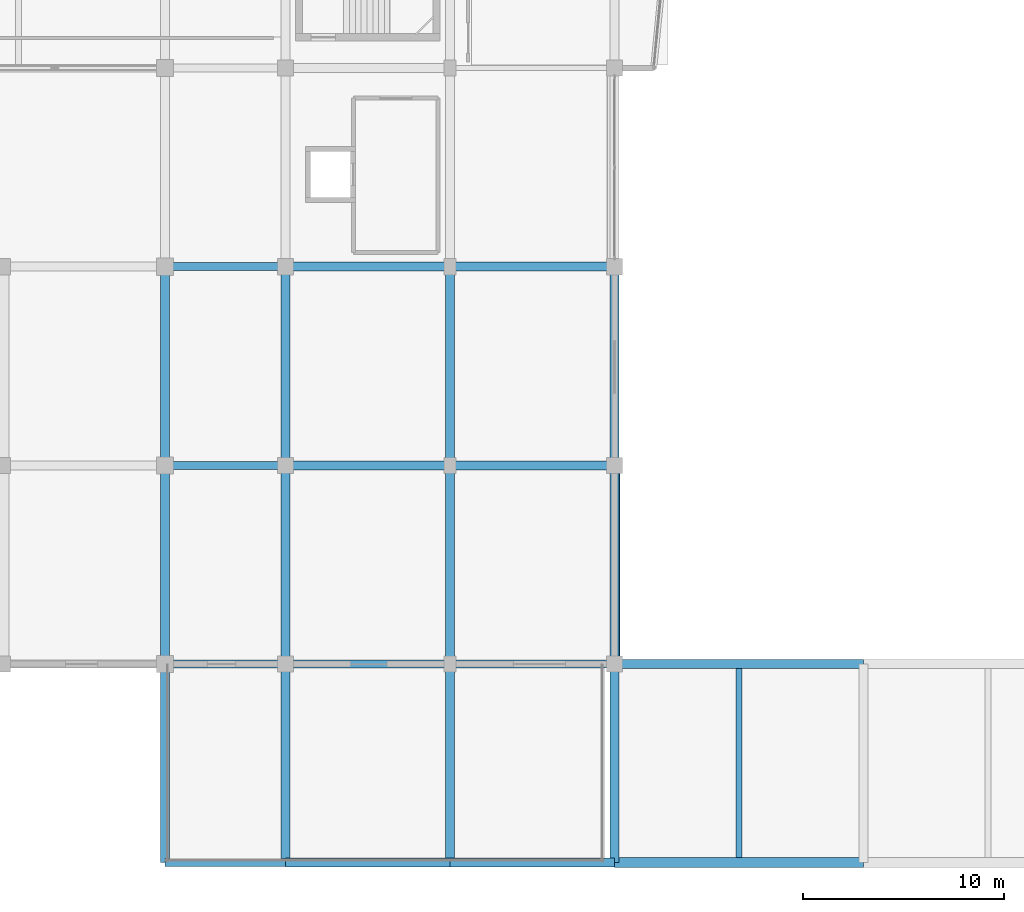
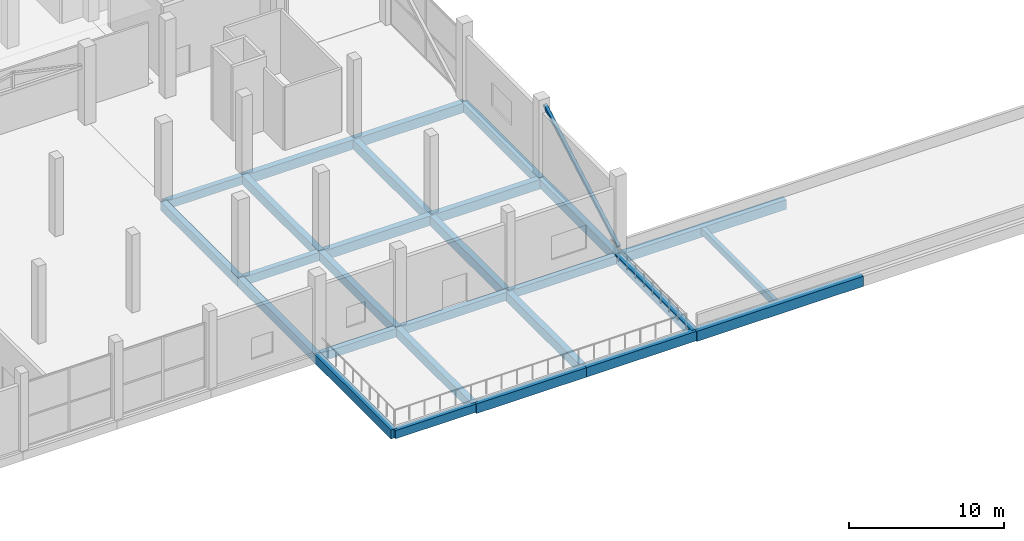
# One storey, part 16 of 58: 27 beams, 1 member.
"""IFC4 building model written with IfcOpenShell, lengths in metres."""

from ifc_helpers import new_model, si_unit, direction, frame, origin, origin_2d, place, context, subcontext, project, spatial, rectangle, hollow_rectangle, extrude, material, material_profile, profile_set, type_object, element, save


model = new_model("IFC4")

# Units and contexts
model_context = context("Model", 3, precision=1e-05, world=origin(), true_north=direction((0.0, 1.0)))
body_context = subcontext(model_context, "Body", "Model", "MODEL_VIEW")
ifc_project = project(units=[si_unit("LENGTHUNIT", "METRE"), si_unit("AREAUNIT", "SQUARE_METRE"), si_unit("VOLUMEUNIT", "CUBIC_METRE"), si_unit("PLANEANGLEUNIT", "RADIAN"), si_unit("MASSUNIT", "GRAM", prefix="KILO")], contexts=[model_context])

# Site, building, storey
site_placement = place(None, origin())
site = spatial("IfcSite", under=ifc_project, at=site_placement, CompositionType="ELEMENT")
building_placement = place(site_placement, origin())
building = spatial("IfcBuilding", under=site, at=building_placement, Name="Sillaruma Civic Art Gallery", CompositionType="ELEMENT")
storey_placement = place(building_placement, frame((0.0, 0.0, 22.43994140625)))
storey = spatial("IfcBuildingStorey", under=building, at=storey_placement, Name="L04", CompositionType="ELEMENT", Elevation=22.43994140625)

# Beams
ifc_material_1 = material(Name="Concrete H35 (35 MPa)", Category="concrete")
ifc_material_profile_1 = material_profile(ifc_material_1, rectangle(XDim=0.39990234375, YDim=0.64990234375, at=origin_2d()), Name="RCB400x650")
ifc_profile_set_1 = profile_set([ifc_material_profile_1], Name="Concrete H35 (35 MPa)")
beam_type_1 = type_object("IfcBeamType", Name="BM-BEAM-RCB400x650", PredefinedType="BEAM", material=ifc_profile_set_1)
for number, where, z_axis, x_axis, name in (
    (1, (92.0, 9.89990234375, -0.5849609375), (1.0, 0.0, 0.0), (0.0, 1.0, 0.0), "Beam BM-05 (L03:2:K-L)"),
    (2, (92.0, 29.699951171875, -0.5849609375), (1.0, 0.0, 0.0), (0.0, 1.0, 0.0), "Beam BM-05 (L03:4:K-L)"),
    (3, (92.0, 39.60009765625, -0.5849609375), (1.0, 0.0, 0.0), (0.0, 1.0, 0.0), "Beam BM-05 (L03:5:K-L)"),
):
    element("IfcBeam", number, at=place(storey_placement, frame(where, z_axis=z_axis, x_axis=x_axis)), inside=storey, type_object=beam_type_1, Name=name, PredefinedType="BEAM", context=body_context, shape_type="SweptSolid", body=[
        extrude(rectangle(XDim=0.39990234375, YDim=0.64990234375, at=origin_2d()), origin(), (0.0, 0.0, 1.0), 6.0),
    ])
ifc_material_2 = material(Name="Concrete H40 (40 MPa)", Category="concrete")
ifc_material_profile_2 = material_profile(ifc_material_2, rectangle(XDim=0.449951171875, YDim=0.75, at=origin_2d()), Name="RCB450x750")
ifc_profile_set_2 = profile_set([ifc_material_profile_2], Name="Concrete H40 (40 MPa)")
beam_type_2 = type_object("IfcBeamType", Name="BM-BEAM-RCB450x750", PredefinedType="BEAM", material=ifc_profile_set_2)
for number, where, z_axis, x_axis, name in (
    (4, (98.0, 9.89990234375, -0.635009765625), (1.0, 0.0, 0.0), (0.0, 1.0, 0.0), "Beam BM-03 (L03:2:L-M)"),
    (5, (106.199951171875, 9.89990234375, -0.635009765625), (1.0, 0.0, 0.0), (0.0, 1.0, 0.0), "Beam BM-03 (L03:2:M-N)"),
    (6, (98.0, 29.699951171875, -0.635009765625), (1.0, 0.0, 0.0), (0.0, 1.0, 0.0), "Beam BM-03 (L03:4:L-M)"),
    (7, (106.199951171875, 29.699951171875, -0.635009765625), (1.0, 0.0, 0.0), (0.0, 1.0, 0.0), "Beam BM-03 (L03:4:M-N)"),
    (8, (98.0, 39.60009765625, -0.635009765625), (1.0, 0.0, 0.0), (0.0, 1.0, 0.0), "Beam BM-03 (L03:5:L-M)"),
    (9, (106.199951171875, 39.60009765625, -0.635009765625), (1.0, 0.0, 0.0), (0.0, 1.0, 0.0), "Beam BM-03 (L03:5:M-N)"),
):
    element("IfcBeam", number, at=place(storey_placement, frame(where, z_axis=z_axis, x_axis=x_axis)), inside=storey, type_object=beam_type_2, Name=name, PredefinedType="BEAM", context=body_context, shape_type="SweptSolid", body=[
        extrude(rectangle(XDim=0.449951171875, YDim=0.75, at=origin_2d()), origin(), (0.0, 0.0, 1.0), 8.199951171875),
    ])
beam_1_placement = place(storey_placement, frame((106.199951171875, 9.89990234375, -0.635009765625), z_axis=(0.0, 1.0, 0.0), x_axis=(-1.0, 0.0, 0.0)))
element("IfcBeam", 10, at=beam_1_placement, inside=storey, type_object=beam_type_2, Name="Beam BM-03 (L03:M:2-3)", PredefinedType="BEAM", context=body_context, shape_type="SweptSolid", body=[
    extrude(rectangle(XDim=0.449951171875, YDim=0.75, at=origin_2d()), origin(), (0.0, 0.0, 1.0), 9.900146484375),
])
beam_2_placement = place(storey_placement, frame((106.199951171875, 19.800048828125, -0.635009765625), z_axis=(0.0, 1.0, 0.0), x_axis=(-1.0, 0.0, 0.0)))
element("IfcBeam", 11, at=beam_2_placement, inside=storey, type_object=beam_type_2, Name="Beam BM-03 (L03:M:3-4)", PredefinedType="BEAM", context=body_context, shape_type="SweptSolid", body=[
    extrude(rectangle(XDim=0.449951171875, YDim=0.75, at=origin_2d()), origin(), (0.0, 0.0, 1.0), 9.89990234375),
])
beam_3_placement = place(storey_placement, frame((106.199951171875, 29.699951171875, -0.635009765625), z_axis=(0.0, 1.0, 0.0), x_axis=(-1.0, 0.0, 0.0)))
element("IfcBeam", 12, at=beam_3_placement, inside=storey, type_object=beam_type_2, Name="Beam BM-03 (L03:M:4-5)", PredefinedType="BEAM", context=body_context, shape_type="SweptSolid", body=[
    extrude(rectangle(XDim=0.449951171875, YDim=0.75, at=origin_2d()), origin(), (0.0, 0.0, 1.0), 9.900146484375),
])
ifc_material_profile_3 = material_profile(ifc_material_2, rectangle(XDim=0.5, YDim=0.800048828125, at=origin_2d()), Name="RCB500x800")
ifc_profile_set_3 = profile_set([ifc_material_profile_3], Name="Concrete H40 (40 MPa)")
beam_type_3 = type_object("IfcBeamType", Name="BM-BEAM-RCB500x800", PredefinedType="BEAM", material=ifc_profile_set_3)
beam_4_placement = place(storey_placement, frame((114.39990234375, 9.89990234375, -0.659912109375), z_axis=(1.0, 0.0, 0.0), x_axis=(0.0, 1.0, 0.0)))
element("IfcBeam", 13, at=beam_4_placement, inside=storey, type_object=beam_type_3, Name="Beam BM-02 (L03:2:N-P)", PredefinedType="BEAM", context=body_context, shape_type="SweptSolid", body=[
    extrude(rectangle(XDim=0.5, YDim=0.800048828125, at=origin_2d()), origin(), (0.0, 0.0, 1.0), 12.400146484375),
])
ifc_material_profile_4 = material_profile(ifc_material_1, rectangle(XDim=0.300048828125, YDim=0.52001953125, at=origin_2d()), Name="RCB300x520")
ifc_profile_set_4 = profile_set([ifc_material_profile_4], Name="Concrete H35 (35 MPa)")
beam_type_4 = type_object("IfcBeamType", Name="BM-JOIST-RCB300x520", PredefinedType="JOIST", material=ifc_profile_set_4)
beam_5_placement = place(storey_placement, frame((120.60009765625, 10.14990234375, -0.52001953125), z_axis=(0.0, 1.0, 0.0), x_axis=(-1.0, 0.0, 0.0)))
element("IfcBeam", 14, at=beam_5_placement, inside=storey, type_object=beam_type_4, Name="Floor Joist JR-01 (L03:NP:2-3)", PredefinedType="JOIST", context=body_context, shape_type="SweptSolid", body=[
    extrude(rectangle(XDim=0.300048828125, YDim=0.52001953125, at=origin_2d()), origin(), (0.0, 0.0, 1.0), 9.425048828125),
])
ifc_material_profile_5 = material_profile(ifc_material_1, rectangle(XDim=0.39990234375, YDim=0.64990234375, at=origin_2d()), Name="RCB400x650")
ifc_profile_set_5 = profile_set([ifc_material_profile_5], Name="Concrete H35 (35 MPa)")
beam_type_5 = type_object("IfcBeamType", Name="BM-SPANDREL-RCB400x650", PredefinedType="SPANDREL", material=ifc_profile_set_5)
beam_6_placement = place(storey_placement, frame((92.0, 19.800048828125, -0.5849609375), z_axis=(1.0, 0.0, 0.0), x_axis=(0.0, 1.0, 0.0)))
element("IfcBeam", 15, at=beam_6_placement, inside=storey, type_object=beam_type_5, Name="Beam BS-02 (L03:3:K-L)", PredefinedType="SPANDREL", context=body_context, shape_type="SweptSolid", body=[
    extrude(rectangle(XDim=0.39990234375, YDim=0.64990234375, at=origin_2d()), origin(), (0.0, 0.0, 1.0), 6.0),
])
for number, where, z_axis, x_axis, name in (
    (16, (98.0, 19.800048828125, -0.5849609375), (1.0, 0.0, 0.0), (0.0, 1.0, 0.0), "Beam BS-02 (L03:3:L-M)"),
    (17, (106.199951171875, 19.800048828125, -0.5849609375), (1.0, 0.0, 0.0), (0.0, 1.0, 0.0), "Beam BS-02 (L03:3:M-N)"),
):
    element("IfcBeam", number, at=place(storey_placement, frame(where, z_axis=z_axis, x_axis=x_axis)), inside=storey, type_object=beam_type_5, Name=name, PredefinedType="SPANDREL", context=body_context, shape_type="SweptSolid", body=[
        extrude(rectangle(XDim=0.39990234375, YDim=0.64990234375, at=origin_2d()), origin(), (0.0, 0.0, 1.0), 8.199951171875),
    ])
ifc_material_profile_6 = material_profile(ifc_material_1, rectangle(XDim=0.449951171875, YDim=0.699951171875, at=origin_2d()), Name="RCB450x700")
ifc_profile_set_6 = profile_set([ifc_material_profile_6], Name="Concrete H35 (35 MPa)")
beam_type_6 = type_object("IfcBeamType", Name="BM-SPANDREL-RCB450x700", PredefinedType="SPANDREL", material=ifc_profile_set_6)
beam_7_placement = place(storey_placement, frame((92.0, 9.89990234375, -0.60986328125), z_axis=(0.0, 1.0, 0.0), x_axis=(-1.0, 0.0, 0.0)))
element("IfcBeam", 18, at=beam_7_placement, inside=storey, type_object=beam_type_6, Name="Beam BS-03 (L03:K:2-3)", PredefinedType="SPANDREL", context=body_context, shape_type="SweptSolid", body=[
    extrude(rectangle(XDim=0.449951171875, YDim=0.699951171875, at=origin_2d()), origin(), (0.0, 0.0, 1.0), 9.900146484375),
])
beam_8_placement = place(storey_placement, frame((92.0, 19.800048828125, -0.60986328125), z_axis=(0.0, 1.0, 0.0), x_axis=(-1.0, 0.0, 0.0)))
element("IfcBeam", 19, at=beam_8_placement, inside=storey, type_object=beam_type_6, Name="Beam BS-03 (L03:K:3-4)", PredefinedType="SPANDREL", context=body_context, shape_type="SweptSolid", body=[
    extrude(rectangle(XDim=0.449951171875, YDim=0.699951171875, at=origin_2d()), origin(), (0.0, 0.0, 1.0), 9.89990234375),
])
for number, where, z_axis, x_axis, name in (
    (20, (92.0, 29.699951171875, -0.60986328125), (0.0, 1.0, 0.0), (-1.0, 0.0, 0.0), "Beam BS-03 (L03:K:4-5)"),
    (21, (98.0, 9.89990234375, -0.60986328125), (0.0, 1.0, 0.0), (-1.0, 0.0, 0.0), "Beam BS-03 (L03:L:2-3)"),
):
    element("IfcBeam", number, at=place(storey_placement, frame(where, z_axis=z_axis, x_axis=x_axis)), inside=storey, type_object=beam_type_6, Name=name, PredefinedType="SPANDREL", context=body_context, shape_type="SweptSolid", body=[
        extrude(rectangle(XDim=0.449951171875, YDim=0.699951171875, at=origin_2d()), origin(), (0.0, 0.0, 1.0), 9.900146484375),
    ])
beam_9_placement = place(storey_placement, frame((98.0, 19.800048828125, -0.60986328125), z_axis=(0.0, 1.0, 0.0), x_axis=(-1.0, 0.0, 0.0)))
element("IfcBeam", 22, at=beam_9_placement, inside=storey, type_object=beam_type_6, Name="Beam BS-03 (L03:L:3-4)", PredefinedType="SPANDREL", context=body_context, shape_type="SweptSolid", body=[
    extrude(rectangle(XDim=0.449951171875, YDim=0.699951171875, at=origin_2d()), origin(), (0.0, 0.0, 1.0), 9.89990234375),
])
for number, where, z_axis, x_axis, name in (
    (23, (98.0, 29.699951171875, -0.60986328125), (0.0, 1.0, 0.0), (-1.0, 0.0, 0.0), "Beam BS-03 (L03:L:4-5)"),
    (24, (114.39990234375, 9.89990234375, -0.60986328125), (0.0, 1.0, 0.0), (-1.0, 0.0, 0.0), "Beam BS-03 (L03:N:2-3)"),
):
    element("IfcBeam", number, at=place(storey_placement, frame(where, z_axis=z_axis, x_axis=x_axis)), inside=storey, type_object=beam_type_6, Name=name, PredefinedType="SPANDREL", context=body_context, shape_type="SweptSolid", body=[
        extrude(rectangle(XDim=0.449951171875, YDim=0.699951171875, at=origin_2d()), origin(), (0.0, 0.0, 1.0), 9.900146484375),
    ])
beam_10_placement = place(storey_placement, frame((114.39990234375, 19.800048828125, -0.60986328125), z_axis=(0.0, 1.0, 0.0), x_axis=(-1.0, 0.0, 0.0)))
element("IfcBeam", 25, at=beam_10_placement, inside=storey, type_object=beam_type_6, Name="Beam BS-03 (L03:N:3-4)", PredefinedType="SPANDREL", context=body_context, shape_type="SweptSolid", body=[
    extrude(rectangle(XDim=0.449951171875, YDim=0.699951171875, at=origin_2d()), origin(), (0.0, 0.0, 1.0), 9.89990234375),
])
beam_11_placement = place(storey_placement, frame((114.39990234375, 29.699951171875, -0.60986328125), z_axis=(0.0, 1.0, 0.0), x_axis=(-1.0, 0.0, 0.0)))
element("IfcBeam", 26, at=beam_11_placement, inside=storey, type_object=beam_type_6, Name="Beam BS-03 (L03:N:4-5)", PredefinedType="SPANDREL", context=body_context, shape_type="SweptSolid", body=[
    extrude(rectangle(XDim=0.449951171875, YDim=0.699951171875, at=origin_2d()), origin(), (0.0, 0.0, 1.0), 9.900146484375),
])
ifc_material_profile_7 = material_profile(ifc_material_2, rectangle(XDim=0.449951171875, YDim=0.75, at=origin_2d()), Name="RCB450x750")
ifc_profile_set_7 = profile_set([ifc_material_profile_7], Name="Concrete H40 (40 MPa)")
beam_type_7 = type_object("IfcBeamType", Name="BM-SPANDREL-RCB450x750", PredefinedType="SPANDREL", material=ifc_profile_set_7)
beam_12_placement = place(storey_placement, frame((114.39990234375, 19.800048828125, -0.635009765625), z_axis=(1.0, 0.0, 0.0), x_axis=(0.0, 1.0, 0.0)))
element("IfcBeam", 27, at=beam_12_placement, inside=storey, type_object=beam_type_7, Name="Beam BS-01 (L03:3:N-P)", PredefinedType="SPANDREL", context=body_context, shape_type="SweptSolid", body=[
    extrude(rectangle(XDim=0.449951171875, YDim=0.75, at=origin_2d()), origin(), (0.0, 0.0, 1.0), 12.400146484375),
])

# Member
ifc_material_3 = material(Name="Structural Steel ASTM A500 Gr.C", Category="steel")
ifc_material_profile_8 = material_profile(ifc_material_3, hollow_rectangle(XDim=0.25, YDim=0.25, WallThickness=0.012451171875, InnerFilletRadius=0.012451171875, OuterFilletRadius=0.02490234375, at=origin_2d()), Name="HSS250x250x12.5")
ifc_profile_set_8 = profile_set([ifc_material_profile_8], Name="Structural Steel ASTM A500 Gr.C")
member_type = type_object("IfcMemberType", Name="MEM-MEGA-BRACE", PredefinedType="BRACE", material=ifc_profile_set_8)
member_placement = place(storey_placement, frame((114.550048828125, 19.97998046875, 0.10009765625), z_axis=(0.0, 0.87065287391, 0.491897929607), x_axis=(-1.0, 0.0, 0.0)))
element("IfcMember", 28, at=member_placement, inside=storey, type_object=member_type, Name="Exterior Expressed Gallery Seismic Diagonal Brace (L04-ES)", PredefinedType="BRACE", context=body_context, shape_type="SweptSolid", body=[
    extrude(hollow_rectangle(XDim=0.25, YDim=0.25, WallThickness=0.012451171875, InnerFilletRadius=0.012451171875, OuterFilletRadius=0.02490234375, at=origin_2d()), origin(), (0.0, 0.0, 1.0), 10.957275390625),
])

save(model, "model.ifc")
